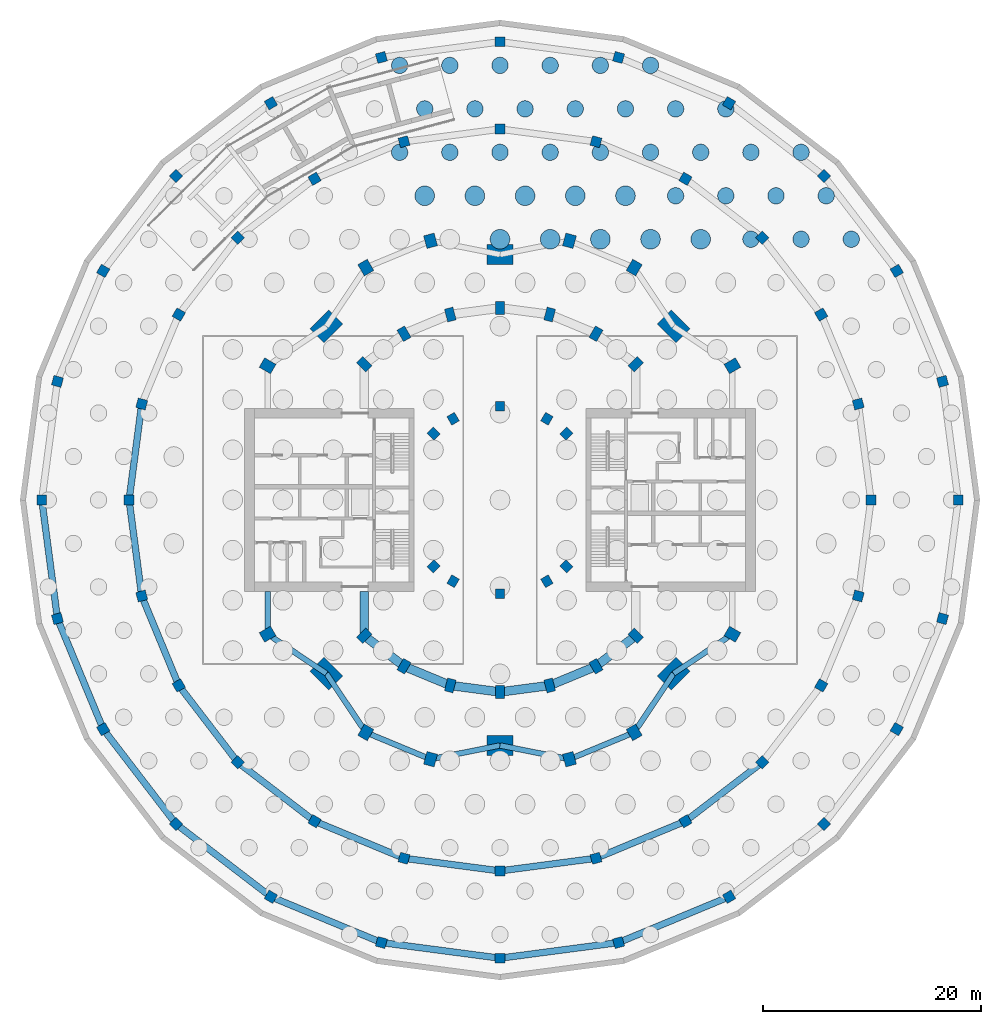
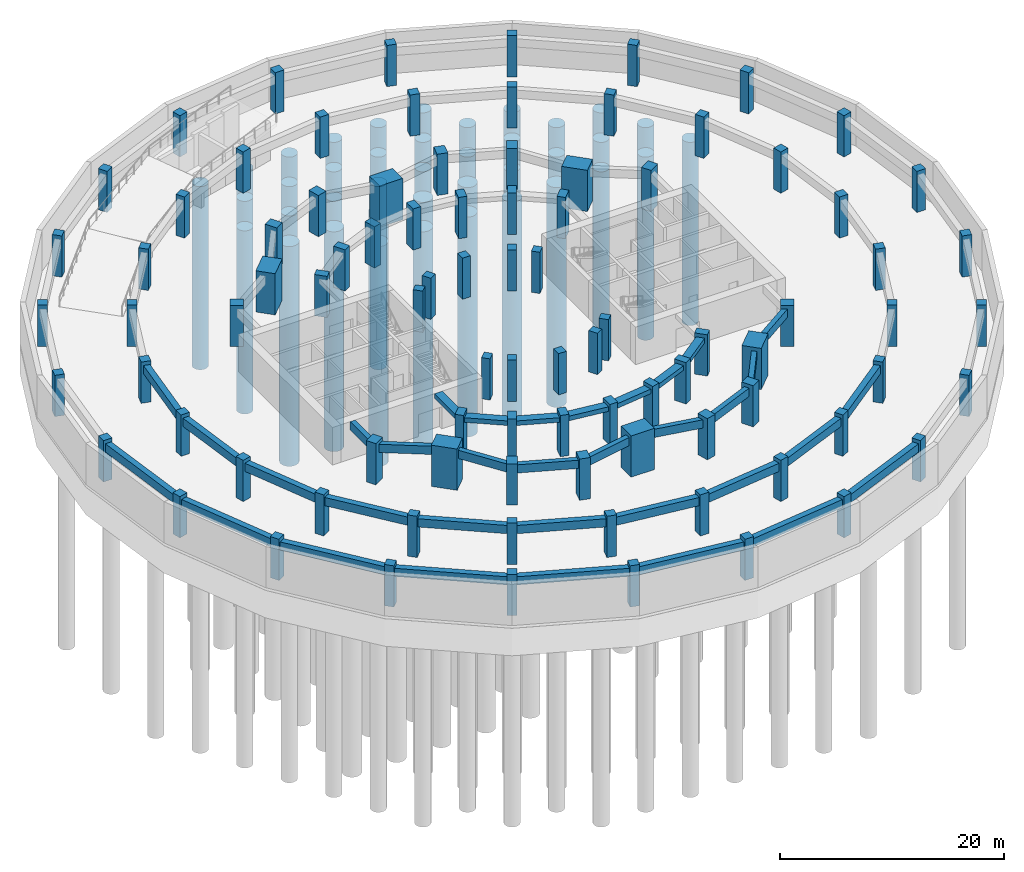
# One storey, part 2 of 9: 90 columns, 39 piles, 34 beams.
"""IFC4 building model written with IfcOpenShell, lengths in metres."""

from ifc_helpers import new_model, si_unit, direction, frame, origin, origin_2d, place, context, subcontext, project, spatial, rectangle, circle, extrude, material, material_profile, profile_set, type_object, element, save


model = new_model("IFC4")

# Units and contexts
model_context = context("Model", 3, precision=1e-05, world=origin(), true_north=direction((0.0, 1.0)))
body_context = subcontext(model_context, "Body", "Model", "MODEL_VIEW")
ifc_project = project(units=[si_unit("LENGTHUNIT", "METRE"), si_unit("AREAUNIT", "SQUARE_METRE"), si_unit("VOLUMEUNIT", "CUBIC_METRE"), si_unit("PLANEANGLEUNIT", "RADIAN"), si_unit("MASSUNIT", "GRAM", prefix="KILO")], contexts=[model_context])

# Site, building, storey
site_placement = place(None, origin())
site = spatial("IfcSite", under=ifc_project, at=site_placement, CompositionType="ELEMENT")
building_placement = place(site_placement, origin())
building = spatial("IfcBuilding", under=site, at=building_placement, Name="Torre Brocal", CompositionType="ELEMENT")
storey_placement = place(building_placement, frame((0.0, 0.0, -9.0)))
storey = spatial("IfcBuildingStorey", under=building, at=storey_placement, Name="B2", CompositionType="ELEMENT", Elevation=-9.0)

# Piles
ifc_material_1 = material(Name="Concrete C45", Category="concrete")
ifc_material_profile_1 = material_profile(ifc_material_1, circle(Radius=0.75, at=origin_2d()), Name="BORED PILE D1500")
ifc_profile_set_1 = profile_set([ifc_material_profile_1], Name="Concrete C45")
pile_type_1 = type_object("IfcPileType", Name="BORED PILE D1500 L20000", PredefinedType="BORED", material=ifc_profile_set_1)
for number, where, z_axis, x_axis, name in (
    (1, (103.0, 98.90234375, -3.300048828125), (0.0, 0.0, -1.0), (1.0, 0.0, 0.0), "Pile PL-02"),
    (2, (107.60009765625, 98.90234375, -3.300048828125), (0.0, 0.0, -1.0), (1.0, 0.0, 0.0), "Pile PL-02"),
    (3, (112.199951171875, 98.90234375, -3.300048828125), (0.0, 0.0, -1.0), (1.0, 0.0, 0.0), "Pile PL-02"),
    (4, (96.10009765625, 102.885986328125, -3.300048828125), (0.0, 0.0, -1.0), (1.0, 0.0, 0.0), "Pile PL-02"),
    (5, (100.699951171875, 102.885986328125, -3.300048828125), (0.0, 0.0, -1.0), (1.0, 0.0, 0.0), "Pile PL-02"),
    (6, (105.300048828125, 102.885986328125, -3.300048828125), (0.0, 0.0, -1.0), (1.0, 0.0, 0.0), "Pile PL-02"),
    (7, (109.89990234375, 102.885986328125, -3.300048828125), (0.0, 0.0, -1.0), (1.0, 0.0, 0.0), "Pile PL-02"),
    (8, (70.800048828125, 106.86962890625, -3.300048828125), (0.0, 0.0, -1.0), (1.0, 0.0, 0.0), "Pile PL-02"),
    (9, (75.39990234375, 106.86962890625, -3.300048828125), (0.0, 0.0, -1.0), (1.0, 0.0, 0.0), "Pile PL-02"),
    (10, (80.0, 106.86962890625, -3.300048828125), (0.0, 0.0, -1.0), (1.0, 0.0, 0.0), "Pile PL-02"),
    (11, (84.60009765625, 106.86962890625, -3.300048828125), (0.0, 0.0, -1.0), (1.0, 0.0, 0.0), "Pile PL-02"),
    (12, (89.199951171875, 106.86962890625, -3.300048828125), (0.0, 0.0, -1.0), (1.0, 0.0, 0.0), "Pile PL-02"),
    (13, (93.800048828125, 106.86962890625, -3.300048828125), (0.0, 0.0, -1.0), (1.0, 0.0, 0.0), "Pile PL-02"),
    (14, (98.39990234375, 106.86962890625, -3.300048828125), (0.0, 0.0, -1.0), (1.0, 0.0, 0.0), "Pile PL-02"),
    (15, (103.0, 106.86962890625, -3.300048828125), (0.0, 0.0, -1.0), (1.0, 0.0, 0.0), "Pile PL-02"),
    (16, (107.60009765625, 106.86962890625, -3.300048828125), (0.0, 0.0, -1.0), (1.0, 0.0, 0.0), "Pile PL-02"),
    (17, (73.10009765625, 110.853515625, -3.300048828125), (0.0, 0.0, -1.0), (1.0, 0.0, 0.0), "Pile PL-02"),
    (18, (77.699951171875, 110.853515625, -3.300048828125), (0.0, 0.0, -1.0), (1.0, 0.0, 0.0), "Pile PL-02"),
    (19, (82.300048828125, 110.853515625, -3.300048828125), (0.0, 0.0, -1.0), (1.0, 0.0, 0.0), "Pile PL-02"),
    (20, (86.89990234375, 110.853515625, -3.300048828125), (0.0, 0.0, -1.0), (1.0, 0.0, 0.0), "Pile PL-02"),
    (21, (91.5, 110.853515625, -3.300048828125), (0.0, 0.0, -1.0), (1.0, 0.0, 0.0), "Pile PL-02"),
    (22, (96.10009765625, 110.853515625, -3.300048828125), (0.0, 0.0, -1.0), (1.0, 0.0, 0.0), "Pile PL-02"),
    (23, (100.699951171875, 110.853515625, -3.300048828125), (0.0, 0.0, -1.0), (1.0, 0.0, 0.0), "Pile PL-02"),
    (24, (70.800048828125, 114.837158203125, -3.300048828125), (0.0, 0.0, -1.0), (1.0, 0.0, 0.0), "Pile PL-02"),
    (25, (75.39990234375, 114.837158203125, -3.300048828125), (0.0, 0.0, -1.0), (1.0, 0.0, 0.0), "Pile PL-02"),
    (26, (80.0, 114.837158203125, -3.300048828125), (0.0, 0.0, -1.0), (1.0, 0.0, 0.0), "Pile PL-02"),
    (27, (84.60009765625, 114.837158203125, -3.300048828125), (0.0, 0.0, -1.0), (1.0, 0.0, 0.0), "Pile PL-02"),
    (28, (89.199951171875, 114.837158203125, -3.300048828125), (0.0, 0.0, -1.0), (1.0, 0.0, 0.0), "Pile PL-02"),
    (29, (93.800048828125, 114.837158203125, -3.300048828125), (0.0, 0.0, -1.0), (1.0, 0.0, 0.0), "Pile PL-02"),
):
    element("IfcPile", number, at=place(storey_placement, frame(where, z_axis=z_axis, x_axis=x_axis)), inside=storey, type_object=pile_type_1, Name=name, PredefinedType="BORED", context=body_context, shape_type="SweptSolid", body=[
        extrude(circle(Radius=0.75, at=origin_2d()), origin(), (0.0, 0.0, 1.0), 20.0),
    ])
ifc_material_2 = material(Name="Concrete C45", Category="concrete")
ifc_material_profile_2 = material_profile(ifc_material_2, circle(Radius=0.89990234375, at=origin_2d()), Name="BORED PILE D1800")
ifc_profile_set_2 = profile_set([ifc_material_profile_2], Name="Concrete C45")
pile_type_2 = type_object("IfcPileType", Name="BORED PILE D1800 L24000", PredefinedType="BORED", material=ifc_profile_set_2)
for number, where, z_axis, x_axis, name in (
    (30, (80.0, 98.90234375, -3.300048828125), (0.0, 0.0, -1.0), (1.0, 0.0, 0.0), "Pile PL-03"),
    (31, (84.60009765625, 98.90234375, -3.300048828125), (0.0, 0.0, -1.0), (1.0, 0.0, 0.0), "Pile PL-03"),
    (32, (89.199951171875, 98.90234375, -3.300048828125), (0.0, 0.0, -1.0), (1.0, 0.0, 0.0), "Pile PL-03"),
    (33, (93.800048828125, 98.90234375, -3.300048828125), (0.0, 0.0, -1.0), (1.0, 0.0, 0.0), "Pile PL-03"),
    (34, (98.39990234375, 98.90234375, -3.300048828125), (0.0, 0.0, -1.0), (1.0, 0.0, 0.0), "Pile PL-03"),
    (35, (73.10009765625, 102.885986328125, -3.300048828125), (0.0, 0.0, -1.0), (1.0, 0.0, 0.0), "Pile PL-03"),
    (36, (77.699951171875, 102.885986328125, -3.300048828125), (0.0, 0.0, -1.0), (1.0, 0.0, 0.0), "Pile PL-03"),
    (37, (82.300048828125, 102.885986328125, -3.300048828125), (0.0, 0.0, -1.0), (1.0, 0.0, 0.0), "Pile PL-03"),
    (38, (86.89990234375, 102.885986328125, -3.300048828125), (0.0, 0.0, -1.0), (1.0, 0.0, 0.0), "Pile PL-03"),
    (39, (91.5, 102.885986328125, -3.300048828125), (0.0, 0.0, -1.0), (1.0, 0.0, 0.0), "Pile PL-03"),
):
    element("IfcPile", number, at=place(storey_placement, frame(where, z_axis=z_axis, x_axis=x_axis)), inside=storey, type_object=pile_type_2, Name=name, PredefinedType="BORED", context=body_context, shape_type="SweptSolid", body=[
        extrude(circle(Radius=0.89990234375, at=origin_2d()), origin(), (0.0, 0.0, 1.0), 24.0),
    ])

# Columns
ifc_material_3 = material(Name="Concrete C80", Category="concrete")
ifc_material_profile_3 = material_profile(ifc_material_3, rectangle(XDim=1.199951171875, YDim=1.0, at=origin_2d()), Name="RC 1200X1000")
ifc_profile_set_3 = profile_set([ifc_material_profile_3], Name="Concrete C80")
column_type_1 = type_object("IfcColumnType", Name="RC COLUMN 1200X1000 C80", PredefinedType="COLUMN", material=ifc_profile_set_3)
for number, where, z_axis, x_axis, name in (
    (40, (101.30419921875, 87.300048828125, 0.0), (0.0, 0.0, 1.0), (0.866025403784, 0.5, 0.0), "Column C-O02"),
    (41, (92.300048828125, 96.30419921875, 0.0), (0.0, 0.0, 1.0), (0.5, 0.866025403784, 0.0), "Column C-O04"),
    (42, (86.366943359375, 98.76171875, 0.0), (0.0, 0.0, 1.0), (0.258819045103, 0.965925826289, 0.0), "Column C-O05"),
    (43, (73.633056640625, 98.76171875, 0.0), (0.0, 0.0, 1.0), (-0.258819045103, 0.965925826289, 0.0), "Column C-O07"),
    (44, (67.699951171875, 96.30419921875, 0.0), (0.0, 0.0, 1.0), (-0.5, 0.866025403784, 0.0), "Column C-O08"),
    (45, (58.69580078125, 87.300048828125, 0.0), (0.0, 0.0, 1.0), (-0.866025403784, 0.5, 0.0), "Column C-O10"),
    (46, (58.69580078125, 62.699951171875, 0.0), (0.0, 0.0, 1.0), (-0.866025403784, -0.5, 0.0), "Column C-O14"),
    (47, (67.699951171875, 53.69580078125, 0.0), (0.0, 0.0, 1.0), (-0.5, -0.866025403784, 0.0), "Column C-O16"),
    (48, (73.633056640625, 51.23828125, 0.0), (0.0, 0.0, 1.0), (-0.258819045103, -0.965925826289, 0.0), "Column C-O17"),
    (49, (86.366943359375, 51.23828125, 0.0), (0.0, 0.0, 1.0), (0.258819045103, -0.965925826289, 0.0), "Column C-O19"),
    (50, (92.300048828125, 53.69580078125, 0.0), (0.0, 0.0, 1.0), (0.5, -0.866025403784, 0.0), "Column C-O20"),
    (51, (101.30419921875, 62.699951171875, 0.0), (0.0, 0.0, 1.0), (0.866025403784, -0.5, 0.0), "Column C-O22"),
):
    element("IfcColumn", number, at=place(storey_placement, frame(where, z_axis=z_axis, x_axis=x_axis)), inside=storey, type_object=column_type_1, Name=name, PredefinedType="COLUMN", context=body_context, shape_type="SweptSolid", body=[
        extrude(rectangle(XDim=1.199951171875, YDim=1.0, at=origin_2d()), origin(), (0.0, 0.0, 1.0), 4.5),
    ])
ifc_material_4 = material(Name="Concrete C80", Category="concrete")
ifc_material_profile_4 = material_profile(ifc_material_4, rectangle(XDim=1.199951171875, YDim=0.800048828125, at=origin_2d()), Name="RC 1200X800")
ifc_profile_set_4 = profile_set([ifc_material_profile_4], Name="Concrete C80")
column_type_2 = type_object("IfcColumnType", Name="RC COLUMN 1200X800 C80", PredefinedType="COLUMN", material=ifc_profile_set_4)
for number, where, z_axis, x_axis, name in (
    (52, (92.445068359375, 87.445068359375, 0.0), (0.0, 0.0, 1.0), (0.707106781187, 0.707106781187, 0.0), "Column C-M03"),
    (53, (88.800048828125, 90.241943359375, 0.0), (0.0, 0.0, 1.0), (0.5, 0.866025403784, 0.0), "Column C-M04"),
    (54, (84.55517578125, 92.000244140625, 0.0), (0.0, 0.0, 1.0), (0.258819045103, 0.965925826289, 0.0), "Column C-M05"),
    (55, (80.0, 92.60009765625, 0.0), (0.0, 0.0, 1.0), (0.0, 1.0, 0.0), "Column C-M06"),
    (56, (75.44482421875, 92.000244140625, 0.0), (0.0, 0.0, 1.0), (-0.258819045103, 0.965925826289, 0.0), "Column C-M07"),
    (57, (71.199951171875, 90.241943359375, 0.0), (0.0, 0.0, 1.0), (-0.5, 0.866025403784, 0.0), "Column C-M08"),
    (58, (67.554931640625, 87.445068359375, 0.0), (0.0, 0.0, 1.0), (-0.707106781187, 0.707106781187, 0.0), "Column C-M09"),
    (59, (67.554931640625, 62.554931640625, 0.0), (0.0, 0.0, 1.0), (-0.707106781187, -0.707106781187, 0.0), "Column C-M15"),
    (60, (71.199951171875, 59.758056640625, 0.0), (0.0, 0.0, 1.0), (-0.5, -0.866025403784, 0.0), "Column C-M16"),
    (61, (75.44482421875, 57.999755859375, 0.0), (0.0, 0.0, 1.0), (-0.258819045103, -0.965925826289, 0.0), "Column C-M17"),
    (62, (80.0, 57.39990234375, 0.0), (0.0, 0.0, 1.0), (0.0, -1.0, 0.0), "Column C-M18"),
    (63, (84.55517578125, 57.999755859375, 0.0), (0.0, 0.0, 1.0), (0.258819045103, -0.965925826289, 0.0), "Column C-M19"),
    (64, (88.800048828125, 59.758056640625, 0.0), (0.0, 0.0, 1.0), (0.5, -0.866025403784, 0.0), "Column C-M20"),
    (65, (92.445068359375, 62.554931640625, 0.0), (0.0, 0.0, 1.0), (0.707106781187, -0.707106781187, 0.0), "Column C-M21"),
):
    element("IfcColumn", number, at=place(storey_placement, frame(where, z_axis=z_axis, x_axis=x_axis)), inside=storey, type_object=column_type_2, Name=name, PredefinedType="COLUMN", context=body_context, shape_type="SweptSolid", body=[
        extrude(rectangle(XDim=1.199951171875, YDim=0.800048828125, at=origin_2d()), origin(), (0.0, 0.0, 1.0), 4.5),
    ])
ifc_material_5 = material(Name="Concrete C80", Category="concrete")
ifc_material_profile_5 = material_profile(ifc_material_5, rectangle(XDim=1.800048828125, YDim=2.39990234375, at=origin_2d()), Name="RC 1800X2400")
ifc_profile_set_5 = profile_set([ifc_material_profile_5], Name="Concrete C80")
column_type_3 = type_object("IfcColumnType", Name="RC COLUMN 1800X2400 C80", PredefinedType="COLUMN", material=ifc_profile_set_5)
for number, where, z_axis, x_axis, name in (
    (66, (95.909912109375, 90.909912109375, 0.0), (0.0, 0.0, 1.0), (0.707106781187, 0.707106781187, 0.0), "Column MC-1"),
    (67, (80.0, 97.5, 0.0), (0.0, 0.0, 1.0), (0.0, 1.0, 0.0), "Column MC-2"),
    (68, (64.090087890625, 90.909912109375, 0.0), (0.0, 0.0, 1.0), (-0.707106781187, 0.707106781187, 0.0), "Column MC-3"),
    (69, (64.090087890625, 59.090087890625, 0.0), (0.0, 0.0, 1.0), (-0.707106781187, -0.707106781187, 0.0), "Column MC-5"),
    (70, (80.0, 52.5, 0.0), (0.0, 0.0, 1.0), (0.0, -1.0, 0.0), "Column MC-6"),
    (71, (95.909912109375, 59.090087890625, 0.0), (0.0, 0.0, 1.0), (0.707106781187, -0.707106781187, 0.0), "Column MC-7"),
):
    element("IfcColumn", number, at=place(storey_placement, frame(where, z_axis=z_axis, x_axis=x_axis)), inside=storey, type_object=column_type_3, Name=name, PredefinedType="COLUMN", context=body_context, shape_type="SweptSolid", body=[
        extrude(rectangle(XDim=1.800048828125, YDim=2.39990234375, at=origin_2d()), origin(), (0.0, 0.0, 1.0), 4.5),
    ])
ifc_material_6 = material(Name="Concrete C80", Category="concrete")
ifc_material_profile_6 = material_profile(ifc_material_6, rectangle(XDim=0.89990234375, YDim=0.800048828125, at=origin_2d()), Name="RC 900X800")
ifc_profile_set_6 = profile_set([ifc_material_profile_6], Name="Concrete C80")
column_type_4 = type_object("IfcColumnType", Name="RC COLUMN 900X800 C80", PredefinedType="COLUMN", material=ifc_profile_set_6)
for number, where, z_axis, x_axis, name in (
    (72, (86.0810546875, 81.0810546875, 0.0), (0.0, 0.0, 1.0), (0.707106781187, 0.707106781187, 0.0), "Column C-I03"),
    (73, (84.300048828125, 82.44775390625, 0.0), (0.0, 0.0, 1.0), (0.5, 0.866025403784, 0.0), "Column C-I04"),
    (74, (80.0, 83.60009765625, 0.0), (0.0, 0.0, 1.0), (0.0, 1.0, 0.0), "Column C-I06"),
    (75, (75.699951171875, 82.44775390625, 0.0), (0.0, 0.0, 1.0), (-0.5, 0.866025403784, 0.0), "Column C-I08"),
    (76, (73.9189453125, 81.0810546875, 0.0), (0.0, 0.0, 1.0), (-0.707106781187, 0.707106781187, 0.0), "Column C-I09"),
    (77, (73.9189453125, 68.9189453125, 0.0), (0.0, 0.0, 1.0), (-0.707106781187, -0.707106781187, 0.0), "Column C-I15"),
    (78, (75.699951171875, 67.55224609375, 0.0), (0.0, 0.0, 1.0), (-0.5, -0.866025403784, 0.0), "Column C-I16"),
    (79, (80.0, 66.39990234375, 0.0), (0.0, 0.0, 1.0), (0.0, -1.0, 0.0), "Column C-I18"),
    (80, (84.300048828125, 67.55224609375, 0.0), (0.0, 0.0, 1.0), (0.5, -0.866025403784, 0.0), "Column C-I20"),
    (81, (86.0810546875, 68.9189453125, 0.0), (0.0, 0.0, 1.0), (0.707106781187, -0.707106781187, 0.0), "Column C-I21"),
):
    element("IfcColumn", number, at=place(storey_placement, frame(where, z_axis=z_axis, x_axis=x_axis)), inside=storey, type_object=column_type_4, Name=name, PredefinedType="COLUMN", context=body_context, shape_type="SweptSolid", body=[
        extrude(rectangle(XDim=0.89990234375, YDim=0.800048828125, at=origin_2d()), origin(), (0.0, 0.0, 1.0), 4.5),
    ])
ifc_material_7 = material(Name="Concrete C80", Category="concrete")
ifc_material_profile_7 = material_profile(ifc_material_7, rectangle(XDim=0.89990234375, YDim=0.89990234375, at=origin_2d()), Name="RC 900X900")
ifc_profile_set_7 = profile_set([ifc_material_profile_7], Name="Concrete C80")
column_type_5 = type_object("IfcColumnType", Name="RC COLUMN 900X900 C80", PredefinedType="COLUMN", material=ifc_profile_set_7)
for number, where, z_axis, x_axis, name in (
    (82, (122.0, 75.0, 0.0), (0.0, 0.0, 1.0), (1.0, 0.0, 0.0), "Column C-PA00"),
    (83, (120.56884765625, 85.870361328125, 0.0), (0.0, 0.0, 1.0), (0.965925826289, 0.258819045103, 0.0), "Column C-PA01"),
    (84, (116.373046875, 96.0, 0.0), (0.0, 0.0, 1.0), (0.866025403784, 0.5, 0.0), "Column C-PA02"),
    (85, (109.698486328125, 104.698486328125, 0.0), (0.0, 0.0, 1.0), (0.707106781187, 0.707106781187, 0.0), "Column C-PA03"),
    (86, (101.0, 111.373046875, 0.0), (0.0, 0.0, 1.0), (0.5, 0.866025403784, 0.0), "Column C-PA04"),
    (87, (90.870361328125, 115.56884765625, 0.0), (0.0, 0.0, 1.0), (0.258819045103, 0.965925826289, 0.0), "Column C-PA05"),
    (88, (80.0, 117.0, 0.0), (0.0, 0.0, 1.0), (0.0, 1.0, 0.0), "Column C-PA06"),
    (89, (69.129638671875, 115.56884765625, 0.0), (0.0, 0.0, 1.0), (-0.258819045103, 0.965925826289, 0.0), "Column C-PA07"),
    (90, (59.0, 111.373046875, 0.0), (0.0, 0.0, 1.0), (-0.5, 0.866025403784, 0.0), "Column C-PA08"),
    (91, (50.301513671875, 104.698486328125, 0.0), (0.0, 0.0, 1.0), (-0.707106781187, 0.707106781187, 0.0), "Column C-PA09"),
    (92, (43.626953125, 96.0, 0.0), (0.0, 0.0, 1.0), (-0.866025403784, 0.5, 0.0), "Column C-PA10"),
    (93, (39.43115234375, 85.870361328125, 0.0), (0.0, 0.0, 1.0), (-0.965925826289, 0.258819045103, 0.0), "Column C-PA11"),
    (94, (38.0, 75.0, 0.0), (0.0, 0.0, 1.0), (-1.0, 0.0, 0.0), "Column C-PA12"),
    (95, (39.43115234375, 64.129638671875, 0.0), (0.0, 0.0, 1.0), (-0.965925826289, -0.258819045103, 0.0), "Column C-PA13"),
    (96, (43.626953125, 54.0, 0.0), (0.0, 0.0, 1.0), (-0.866025403784, -0.5, 0.0), "Column C-PA14"),
    (97, (50.301513671875, 45.301513671875, 0.0), (0.0, 0.0, 1.0), (-0.707106781187, -0.707106781187, 0.0), "Column C-PA15"),
    (98, (59.0, 38.626953125, 0.0), (0.0, 0.0, 1.0), (-0.5, -0.866025403784, 0.0), "Column C-PA16"),
    (99, (69.129638671875, 34.43115234375, 0.0), (0.0, 0.0, 1.0), (-0.258819045103, -0.965925826289, 0.0), "Column C-PA17"),
    (100, (80.0, 33.0, 0.0), (0.0, 0.0, 1.0), (0.0, -1.0, 0.0), "Column C-PA18"),
    (101, (90.870361328125, 34.43115234375, 0.0), (0.0, 0.0, 1.0), (0.258819045103, -0.965925826289, 0.0), "Column C-PA19"),
    (102, (101.0, 38.626953125, 0.0), (0.0, 0.0, 1.0), (0.5, -0.866025403784, 0.0), "Column C-PA20"),
    (103, (109.698486328125, 45.301513671875, 0.0), (0.0, 0.0, 1.0), (0.707106781187, -0.707106781187, 0.0), "Column C-PA21"),
    (104, (116.373046875, 54.0, 0.0), (0.0, 0.0, 1.0), (0.866025403784, -0.5, 0.0), "Column C-PA22"),
    (105, (120.56884765625, 64.129638671875, 0.0), (0.0, 0.0, 1.0), (0.965925826289, -0.258819045103, 0.0), "Column C-PA23"),
    (106, (114.0, 75.0, 0.0), (0.0, 0.0, 1.0), (1.0, 0.0, 0.0), "Column C-PC00"),
    (107, (112.841552734375, 83.7998046875, 0.0), (0.0, 0.0, 1.0), (0.965925826289, 0.258819045103, 0.0), "Column C-PC01"),
    (108, (109.44482421875, 92.0, 0.0), (0.0, 0.0, 1.0), (0.866025403784, 0.5, 0.0), "Column C-PC02"),
    (109, (104.041748046875, 99.041748046875, 0.0), (0.0, 0.0, 1.0), (0.707106781187, 0.707106781187, 0.0), "Column C-PC03"),
    (110, (97.0, 104.44482421875, 0.0), (0.0, 0.0, 1.0), (0.5, 0.866025403784, 0.0), "Column C-PC04"),
    (111, (88.7998046875, 107.841552734375, 0.0), (0.0, 0.0, 1.0), (0.258819045103, 0.965925826289, 0.0), "Column C-PC05"),
    (112, (80.0, 109.0, 0.0), (0.0, 0.0, 1.0), (0.0, 1.0, 0.0), "Column C-PC06"),
    (113, (71.2001953125, 107.841552734375, 0.0), (0.0, 0.0, 1.0), (-0.258819045103, 0.965925826289, 0.0), "Column C-PC07"),
    (114, (63.0, 104.44482421875, 0.0), (0.0, 0.0, 1.0), (-0.5, 0.866025403784, 0.0), "Column C-PC08"),
    (115, (55.958251953125, 99.041748046875, 0.0), (0.0, 0.0, 1.0), (-0.707106781187, 0.707106781187, 0.0), "Column C-PC09"),
    (116, (50.55517578125, 92.0, 0.0), (0.0, 0.0, 1.0), (-0.866025403784, 0.5, 0.0), "Column C-PC10"),
    (117, (47.158447265625, 83.7998046875, 0.0), (0.0, 0.0, 1.0), (-0.965925826289, 0.258819045103, 0.0), "Column C-PC11"),
    (118, (46.0, 75.0, 0.0), (0.0, 0.0, 1.0), (-1.0, 0.0, 0.0), "Column C-PC12"),
    (119, (47.158447265625, 66.2001953125, 0.0), (0.0, 0.0, 1.0), (-0.965925826289, -0.258819045103, 0.0), "Column C-PC13"),
    (120, (50.55517578125, 58.0, 0.0), (0.0, 0.0, 1.0), (-0.866025403784, -0.5, 0.0), "Column C-PC14"),
    (121, (55.958251953125, 50.958251953125, 0.0), (0.0, 0.0, 1.0), (-0.707106781187, -0.707106781187, 0.0), "Column C-PC15"),
    (122, (63.0, 45.55517578125, 0.0), (0.0, 0.0, 1.0), (-0.5, -0.866025403784, 0.0), "Column C-PC16"),
    (123, (71.2001953125, 42.158447265625, 0.0), (0.0, 0.0, 1.0), (-0.258819045103, -0.965925826289, 0.0), "Column C-PC17"),
    (124, (80.0, 41.0, 0.0), (0.0, 0.0, 1.0), (0.0, -1.0, 0.0), "Column C-PC18"),
    (125, (88.7998046875, 42.158447265625, 0.0), (0.0, 0.0, 1.0), (0.258819045103, -0.965925826289, 0.0), "Column C-PC19"),
    (126, (97.0, 45.55517578125, 0.0), (0.0, 0.0, 1.0), (0.5, -0.866025403784, 0.0), "Column C-PC20"),
    (127, (104.041748046875, 50.958251953125, 0.0), (0.0, 0.0, 1.0), (0.707106781187, -0.707106781187, 0.0), "Column C-PC21"),
    (128, (109.44482421875, 58.0, 0.0), (0.0, 0.0, 1.0), (0.866025403784, -0.5, 0.0), "Column C-PC22"),
    (129, (112.841552734375, 66.2001953125, 0.0), (0.0, 0.0, 1.0), (0.965925826289, -0.258819045103, 0.0), "Column C-PC23"),
):
    element("IfcColumn", number, at=place(storey_placement, frame(where, z_axis=z_axis, x_axis=x_axis)), inside=storey, type_object=column_type_5, Name=name, PredefinedType="COLUMN", context=body_context, shape_type="SweptSolid", body=[
        extrude(rectangle(XDim=0.89990234375, YDim=0.89990234375, at=origin_2d()), origin(), (0.0, 0.0, 1.0), 4.5),
    ])

# Beams
ifc_material_8 = material(Name="Concrete C50", Category="concrete")
ifc_material_profile_8 = material_profile(ifc_material_8, rectangle(XDim=0.60009765625, YDim=0.89990234375, at=origin_2d()), Name="RC 600X900")
ifc_profile_set_8 = profile_set([ifc_material_profile_8], Name="Concrete C50")
beam_type_1 = type_object("IfcBeamType", Name="RC BEAM 600X900 C50 TOP 4100", PredefinedType="BEAM", material=ifc_profile_set_8)
for number, where, z_axis, x_axis, name in (
    (130, (38.0, 75.0, 3.64990234375), (0.130529968843, -0.991444364165, 0.0), (0.991444364165, 0.130529968843, 0.0), "Beam BT-01"),
    (131, (39.43115234375, 64.129638671875, 3.64990234375), (0.382680868131, -0.923880594648, 0.0), (0.923880594648, 0.382680868131, 0.0), "Beam BT-01"),
    (132, (43.626953125, 54.0, 3.64990234375), (0.608760122032, -0.793354343168, 0.0), (0.793354343168, 0.608760122032, 0.0), "Beam BT-01"),
    (133, (50.301513671875, 45.301513671875, 3.64990234375), (0.793354343168, -0.608760122032, 0.0), (0.608760122032, 0.793354343168, 0.0), "Beam BT-01"),
    (134, (59.0, 38.626953125, 3.64990234375), (0.923880594648, -0.382680868131, 0.0), (0.382680868131, 0.923880594648, 0.0), "Beam BT-01"),
    (135, (69.129638671875, 34.43115234375, 3.64990234375), (0.991444364165, -0.130529968843, 0.0), (0.130529968843, 0.991444364165, 0.0), "Beam BT-01"),
    (136, (80.0, 33.0, 3.64990234375), (0.991444364165, 0.130529968843, 0.0), (-0.130529968843, 0.991444364165, 0.0), "Beam BT-01"),
    (137, (90.870361328125, 34.43115234375, 3.64990234375), (0.923880594648, 0.382680868131, 0.0), (-0.382680868131, 0.923880594648, 0.0), "Beam BT-01"),
):
    element("IfcBeam", number, at=place(storey_placement, frame(where, z_axis=z_axis, x_axis=x_axis)), inside=storey, type_object=beam_type_1, Name=name, PredefinedType="BEAM", context=body_context, shape_type="SweptSolid", body=[
        extrude(rectangle(XDim=0.60009765625, YDim=0.89990234375, at=origin_2d()), origin(), (0.0, 0.0, 1.0), 10.964111328125),
    ])
for number, where, z_axis, x_axis, name in (
    (138, (47.158447265625, 83.7998046875, 3.64990234375), (-0.130518550679, -0.991445867372, 0.0), (0.991445867372, -0.130518550679, 0.0), "Beam BT-01"),
    (139, (46.0, 75.0, 3.64990234375), (0.130518550679, -0.991445867372, 0.0), (0.991445867372, 0.130518550679, 0.0), "Beam BT-01"),
):
    element("IfcBeam", number, at=place(storey_placement, frame(where, z_axis=z_axis, x_axis=x_axis)), inside=storey, type_object=beam_type_1, Name=name, PredefinedType="BEAM", context=body_context, shape_type="SweptSolid", body=[
        extrude(rectangle(XDim=0.60009765625, YDim=0.89990234375, at=origin_2d()), origin(), (0.0, 0.0, 1.0), 8.875732421875),
    ])
beam_1_placement = place(storey_placement, frame((47.158447265625, 66.2001953125, 3.64990234375), z_axis=(0.382692703012, -0.923875692429, 0.0), x_axis=(0.923875692429, 0.382692703012, 0.0)))
element("IfcBeam", 140, at=beam_1_placement, inside=storey, type_object=beam_type_1, Name="Beam BT-01", PredefinedType="BEAM", context=body_context, shape_type="SweptSolid", body=[
    extrude(rectangle(XDim=0.60009765625, YDim=0.89990234375, at=origin_2d()), origin(), (0.0, 0.0, 1.0), 8.8759765625),
])
for number, where, z_axis, x_axis, name in (
    (141, (50.55517578125, 58.0, 3.64990234375), (0.608743902882, -0.793366788253, 0.0), (0.793366788253, 0.608743902882, 0.0), "Beam BT-01"),
    (142, (55.958251953125, 50.958251953125, 3.64990234375), (0.793366788253, -0.608743902882, 0.0), (0.608743902882, 0.793366788253, 0.0), "Beam BT-01"),
):
    element("IfcBeam", number, at=place(storey_placement, frame(where, z_axis=z_axis, x_axis=x_axis)), inside=storey, type_object=beam_type_1, Name=name, PredefinedType="BEAM", context=body_context, shape_type="SweptSolid", body=[
        extrude(rectangle(XDim=0.60009765625, YDim=0.89990234375, at=origin_2d()), origin(), (0.0, 0.0, 1.0), 8.875732421875),
    ])
beam_2_placement = place(storey_placement, frame((63.0, 45.55517578125, 3.64990234375), z_axis=(0.923875692429, -0.382692703012, 0.0), x_axis=(0.382692703012, 0.923875692429, 0.0)))
element("IfcBeam", 143, at=beam_2_placement, inside=storey, type_object=beam_type_1, Name="Beam BT-01", PredefinedType="BEAM", context=body_context, shape_type="SweptSolid", body=[
    extrude(rectangle(XDim=0.60009765625, YDim=0.89990234375, at=origin_2d()), origin(), (0.0, 0.0, 1.0), 8.8759765625),
])
for number, where, z_axis, x_axis, name in (
    (144, (71.2001953125, 42.158447265625, 3.64990234375), (0.991445867372, -0.130518550679, 0.0), (0.130518550679, 0.991445867372, 0.0), "Beam BT-01"),
    (145, (80.0, 41.0, 3.64990234375), (0.991445867372, 0.130518550679, 0.0), (-0.130518550679, 0.991445867372, 0.0), "Beam BT-01"),
):
    element("IfcBeam", number, at=place(storey_placement, frame(where, z_axis=z_axis, x_axis=x_axis)), inside=storey, type_object=beam_type_1, Name=name, PredefinedType="BEAM", context=body_context, shape_type="SweptSolid", body=[
        extrude(rectangle(XDim=0.60009765625, YDim=0.89990234375, at=origin_2d()), origin(), (0.0, 0.0, 1.0), 8.875732421875),
    ])
beam_3_placement = place(storey_placement, frame((88.7998046875, 42.158447265625, 3.64990234375), z_axis=(0.923875692429, 0.382692703012, 0.0), x_axis=(-0.382692703012, 0.923875692429, 0.0)))
element("IfcBeam", 146, at=beam_3_placement, inside=storey, type_object=beam_type_1, Name="Beam BT-01", PredefinedType="BEAM", context=body_context, shape_type="SweptSolid", body=[
    extrude(rectangle(XDim=0.60009765625, YDim=0.89990234375, at=origin_2d()), origin(), (0.0, 0.0, 1.0), 8.8759765625),
])
beam_4_placement = place(storey_placement, frame((97.0, 45.55517578125, 3.64990234375), z_axis=(0.793366788253, 0.608743902882, 0.0), x_axis=(-0.608743902882, 0.793366788253, 0.0)))
element("IfcBeam", 147, at=beam_4_placement, inside=storey, type_object=beam_type_1, Name="Beam BT-01", PredefinedType="BEAM", context=body_context, shape_type="SweptSolid", body=[
    extrude(rectangle(XDim=0.60009765625, YDim=0.89990234375, at=origin_2d()), origin(), (0.0, 0.0, 1.0), 8.875732421875),
])
ifc_material_9 = material(Name="Concrete C50", Category="concrete")
ifc_material_profile_9 = material_profile(ifc_material_9, rectangle(XDim=0.800048828125, YDim=0.5, at=origin_2d()), Name="RC 800X500")
ifc_profile_set_9 = profile_set([ifc_material_profile_9], Name="Concrete C50")
beam_type_2 = type_object("IfcBeamType", Name="RC BEAM 800X500 C50 TOP 4100", PredefinedType="BEAM", material=ifc_profile_set_9)
beam_5_placement = place(storey_placement, frame((67.554931640625, 62.554931640625, 3.85009765625), z_axis=(0.0, 1.0, 0.0), x_axis=(-1.0, 0.0, 0.0)))
element("IfcBeam", 148, at=beam_5_placement, inside=storey, type_object=beam_type_2, Name="Beam BT-02", PredefinedType="BEAM", context=body_context, shape_type="SweptSolid", body=[
    extrude(rectangle(XDim=0.800048828125, YDim=0.5, at=origin_2d()), origin(), (0.0, 0.0, 1.0), 4.045166015625),
])
beam_6_placement = place(storey_placement, frame((67.554931640625, 62.554931640625, 3.85009765625), z_axis=(0.793358265959, -0.6087550097, 0.0), x_axis=(0.6087550097, 0.793358265959, 0.0)))
element("IfcBeam", 149, at=beam_6_placement, inside=storey, type_object=beam_type_2, Name="Beam BT-02", PredefinedType="BEAM", context=body_context, shape_type="SweptSolid", body=[
    extrude(rectangle(XDim=0.800048828125, YDim=0.5, at=origin_2d()), origin(), (0.0, 0.0, 1.0), 4.594482421875),
])
beam_7_placement = place(storey_placement, frame((71.199951171875, 59.758056640625, 3.85009765625), z_axis=(0.923878240166, -0.382686552348, 0.0), x_axis=(0.382686552348, 0.923878240166, 0.0)))
element("IfcBeam", 150, at=beam_7_placement, inside=storey, type_object=beam_type_2, Name="Beam BT-02", PredefinedType="BEAM", context=body_context, shape_type="SweptSolid", body=[
    extrude(rectangle(XDim=0.800048828125, YDim=0.5, at=origin_2d()), origin(), (0.0, 0.0, 1.0), 4.5947265625),
])
for number, where, z_axis, x_axis, name in (
    (151, (75.44482421875, 57.999755859375, 3.85009765625), (0.991440544449, -0.130558978332, 0.0), (0.130558978332, 0.991440544449, 0.0), "Beam BT-02"),
    (152, (80.0, 57.39990234375, 3.85009765625), (0.991440544449, 0.130558978332, 0.0), (-0.130558978332, 0.991440544449, 0.0), "Beam BT-02"),
):
    element("IfcBeam", number, at=place(storey_placement, frame(where, z_axis=z_axis, x_axis=x_axis)), inside=storey, type_object=beam_type_2, Name=name, PredefinedType="BEAM", context=body_context, shape_type="SweptSolid", body=[
        extrude(rectangle(XDim=0.800048828125, YDim=0.5, at=origin_2d()), origin(), (0.0, 0.0, 1.0), 4.594482421875),
    ])
beam_8_placement = place(storey_placement, frame((84.55517578125, 57.999755859375, 3.85009765625), z_axis=(0.923878240166, 0.382686552348, 0.0), x_axis=(-0.382686552348, 0.923878240166, 0.0)))
element("IfcBeam", 153, at=beam_8_placement, inside=storey, type_object=beam_type_2, Name="Beam BT-02", PredefinedType="BEAM", context=body_context, shape_type="SweptSolid", body=[
    extrude(rectangle(XDim=0.800048828125, YDim=0.5, at=origin_2d()), origin(), (0.0, 0.0, 1.0), 4.5947265625),
])
beam_9_placement = place(storey_placement, frame((88.800048828125, 59.758056640625, 3.85009765625), z_axis=(0.793358265959, 0.6087550097, 0.0), x_axis=(-0.6087550097, 0.793358265959, 0.0)))
element("IfcBeam", 154, at=beam_9_placement, inside=storey, type_object=beam_type_2, Name="Beam BT-02", PredefinedType="BEAM", context=body_context, shape_type="SweptSolid", body=[
    extrude(rectangle(XDim=0.800048828125, YDim=0.5, at=origin_2d()), origin(), (0.0, 0.0, 1.0), 4.594482421875),
])
ifc_material_10 = material(Name="Concrete C50", Category="concrete")
ifc_material_profile_10 = material_profile(ifc_material_10, rectangle(XDim=0.5, YDim=0.89990234375, at=origin_2d()), Name="RC 500X900")
ifc_profile_set_10 = profile_set([ifc_material_profile_10], Name="Concrete C50")
beam_type_3 = type_object("IfcBeamType", Name="RC SPANDREL BEAM 500X900 C50 TOP 4100", PredefinedType="SPANDREL", material=ifc_profile_set_10)
beam_10_placement = place(storey_placement, frame((58.69580078125, 62.699951171875, 3.64990234375), z_axis=(0.0, 1.0, 0.0), x_axis=(-1.0, 0.0, 0.0)))
element("IfcBeam", 155, at=beam_10_placement, inside=storey, type_object=beam_type_3, Name="Beam BT-03", PredefinedType="SPANDREL", context=body_context, shape_type="SweptSolid", body=[
    extrude(rectangle(XDim=0.5, YDim=0.89990234375, at=origin_2d()), origin(), (0.0, 0.0, 1.0), 3.900146484375),
])
for number, where, z_axis, x_axis, name in (
    (156, (58.69580078125, 62.699951171875, 3.64990234375), (0.831076844476, -0.556157602282, 0.0), (0.556157602282, 0.831076844476, 0.0), "Beam BT-03"),
    (157, (64.090087890625, 59.090087890625, 3.64990234375), (0.556157602282, -0.831076844476, 0.0), (0.831076844476, 0.556157602282, 0.0), "Beam BT-03"),
):
    element("IfcBeam", number, at=place(storey_placement, frame(where, z_axis=z_axis, x_axis=x_axis)), inside=storey, type_object=beam_type_3, Name=name, PredefinedType="SPANDREL", context=body_context, shape_type="SweptSolid", body=[
        extrude(rectangle(XDim=0.5, YDim=0.89990234375, at=origin_2d()), origin(), (0.0, 0.0, 1.0), 6.49072265625),
    ])
beam_11_placement = place(storey_placement, frame((67.699951171875, 53.69580078125, 3.64990234375), z_axis=(0.923882462513, -0.382676358639, 0.0), x_axis=(0.382676358639, 0.923882462513, 0.0)))
element("IfcBeam", 158, at=beam_11_placement, inside=storey, type_object=beam_type_3, Name="Beam BT-03", PredefinedType="SPANDREL", context=body_context, shape_type="SweptSolid", body=[
    extrude(rectangle(XDim=0.5, YDim=0.89990234375, at=origin_2d()), origin(), (0.0, 0.0, 1.0), 6.421875),
])
for number, where, z_axis, x_axis, name in (
    (159, (73.633056640625, 51.23828125, 3.64990234375), (0.980924907484, 0.194387051723, 0.0), (-0.194387051723, 0.980924907484, 0.0), "Beam BT-03"),
    (160, (80.0, 52.5, 3.64990234375), (0.980924907484, -0.194387051723, 0.0), (0.194387051723, 0.980924907484, 0.0), "Beam BT-03"),
):
    element("IfcBeam", number, at=place(storey_placement, frame(where, z_axis=z_axis, x_axis=x_axis)), inside=storey, type_object=beam_type_3, Name=name, PredefinedType="SPANDREL", context=body_context, shape_type="SweptSolid", body=[
        extrude(rectangle(XDim=0.5, YDim=0.89990234375, at=origin_2d()), origin(), (0.0, 0.0, 1.0), 6.49072265625),
    ])
beam_12_placement = place(storey_placement, frame((86.366943359375, 51.23828125, 3.64990234375), z_axis=(0.923882462513, 0.382676358639, 0.0), x_axis=(-0.382676358639, 0.923882462513, 0.0)))
element("IfcBeam", 161, at=beam_12_placement, inside=storey, type_object=beam_type_3, Name="Beam BT-03", PredefinedType="SPANDREL", context=body_context, shape_type="SweptSolid", body=[
    extrude(rectangle(XDim=0.5, YDim=0.89990234375, at=origin_2d()), origin(), (0.0, 0.0, 1.0), 6.421875),
])
for number, where, z_axis, x_axis, name in (
    (162, (92.300048828125, 53.69580078125, 3.64990234375), (0.556157602282, 0.831076844476, 0.0), (-0.831076844476, 0.556157602282, 0.0), "Beam BT-03"),
    (163, (95.909912109375, 59.090087890625, 3.64990234375), (0.831076844476, 0.556157602282, 0.0), (-0.556157602282, 0.831076844476, 0.0), "Beam BT-03"),
):
    element("IfcBeam", number, at=place(storey_placement, frame(where, z_axis=z_axis, x_axis=x_axis)), inside=storey, type_object=beam_type_3, Name=name, PredefinedType="SPANDREL", context=body_context, shape_type="SweptSolid", body=[
        extrude(rectangle(XDim=0.5, YDim=0.89990234375, at=origin_2d()), origin(), (0.0, 0.0, 1.0), 6.49072265625),
    ])

save(model, "model.ifc")
